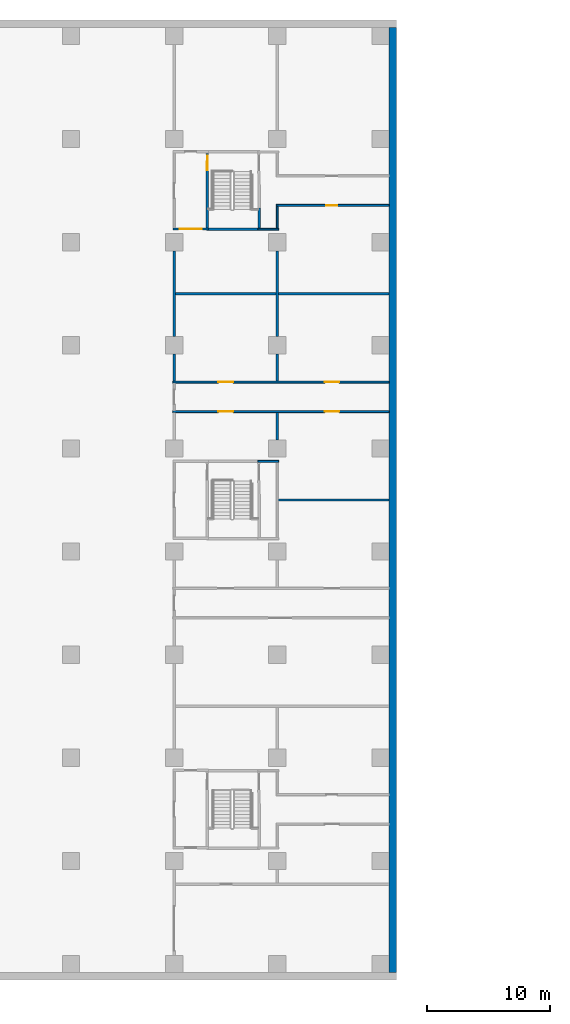
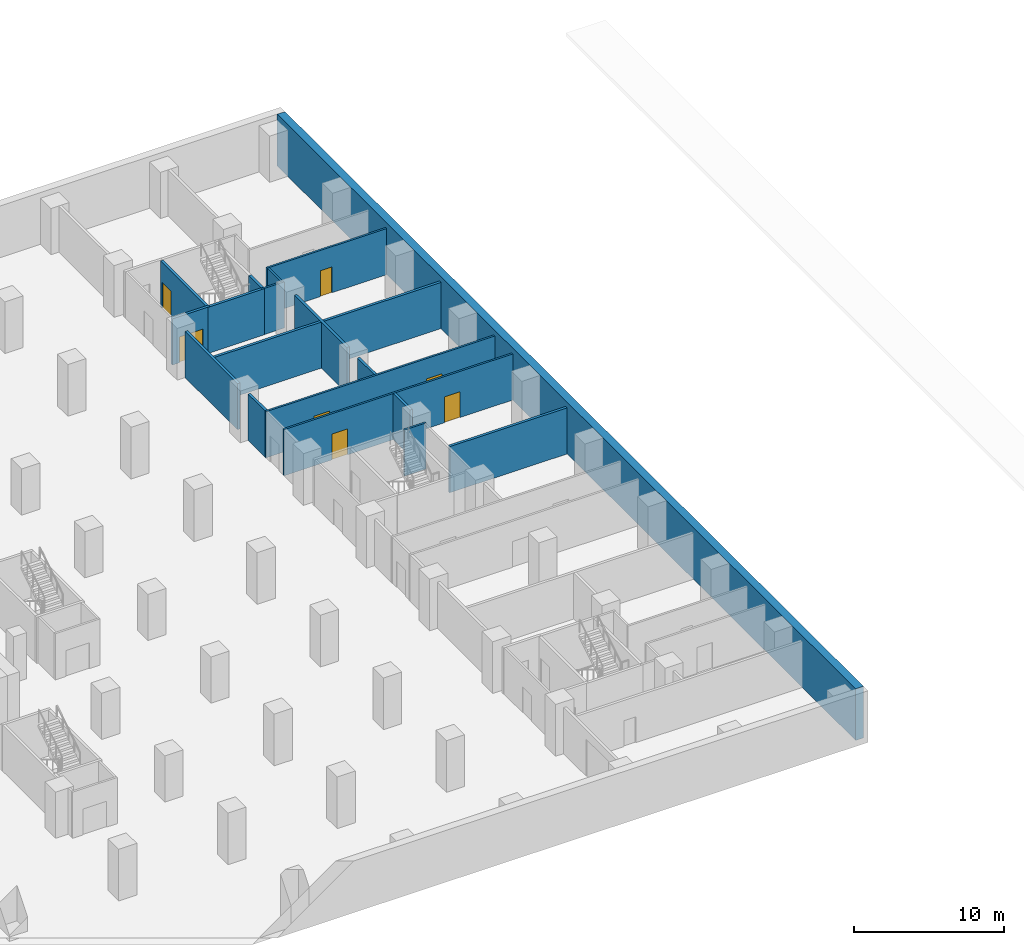
# One storey, part 9 of 17: 18 walls, 7 doors, 7 openings.
"""IFC4 building model written with IfcOpenShell, lengths in metres."""

from ifc_helpers import new_model, si_unit, direction, frame, frame_2d, origin, place, context, subcontext, project, spatial, rectangle, extrude, material, layer, layer_set, type_object, element, fill, save


model = new_model("IFC4")

# Units and contexts
model_context = context("Model", 3, precision=1e-05, world=origin(), true_north=direction((0.0, 1.0)))
body_context = subcontext(model_context, "Body", "Model", "MODEL_VIEW")
ifc_project = project(units=[si_unit("LENGTHUNIT", "METRE"), si_unit("AREAUNIT", "SQUARE_METRE"), si_unit("VOLUMEUNIT", "CUBIC_METRE"), si_unit("PLANEANGLEUNIT", "RADIAN"), si_unit("MASSUNIT", "GRAM", prefix="KILO")], contexts=[model_context])

# Site, building, storey
site_placement = place(None, origin())
site = spatial("IfcSite", under=ifc_project, at=site_placement, CompositionType="ELEMENT")
building_placement = place(site_placement, origin())
building = spatial("IfcBuilding", under=site, at=building_placement, Name="Vermilion Ogive Tower", CompositionType="ELEMENT")
storey_placement = place(building_placement, frame((0.0, 0.0, -4.199951171875)))
storey = spatial("IfcBuildingStorey", under=building, at=storey_placement, Name="B1", CompositionType="ELEMENT", Elevation=-4.199951171875)

# Walls
ifc_material_1 = material(Name="Concrete B45", Category="concrete")
ifc_layer_1 = layer(ifc_material_1, 0.60009765625)
ifc_layer_set_1 = layer_set([ifc_layer_1], Name="Basement wall RW600")
wall_type_1 = type_object("IfcWallType", Name="Basement wall RW600", PredefinedType="SOLIDWALL", material=ifc_layer_set_1)
wall_1_placement = place(storey_placement, frame((59.800048828125, -38.5, 0.0), z_axis=(0.0, 0.0, 1.0), x_axis=(0.0, 1.0, 0.0)))
element("IfcWall", 1, at=wall_1_placement, inside=storey, type_object=wall_type_1, Name="Retaining wall B1 E", PredefinedType="SOLIDWALL", context=body_context, shape_type="SweptSolid", body=[
    extrude(rectangle(XDim=77.0, YDim=0.60009765625, at=frame_2d((38.5, 0.0))), origin(), (0.0, 0.0, 1.0), 4.199951171875),
])
ifc_material_2 = material(Name="Gypsum board partition on steel studs", Category="steel")
ifc_layer_2 = layer(ifc_material_2, 0.14990234375)
ifc_layer_set_2 = layer_set([ifc_layer_2], Name="Partition 150 corridor")
wall_type_2 = type_object("IfcWallType", Name="Partition 150 corridor", PredefinedType="PARTITIONING", material=ifc_layer_set_2)
wall_2_placement = place(storey_placement, frame((48.824951171875, 3.14990234375, 0.0), z_axis=(0.0, 0.0, 1.0), x_axis=(1.0, 0.0, 0.0)))
element("IfcWall", 2, at=wall_2_placement, inside=storey, type_object=wall_type_2, Name="B1-PK-W-W026", PredefinedType="PARTITIONING", context=body_context, shape_type="SweptSolid", body=[
    extrude(rectangle(XDim=1.675048828125, YDim=0.14990234375, at=frame_2d((0.83740234375, 0.0))), origin(), (0.0, 0.0, 1.0), 3.75),
])

# Wall, openings, doors
wall_3_placement = place(storey_placement, frame((41.89990234375, 7.199951171875, 0.0), z_axis=(0.0, 0.0, 1.0), x_axis=(1.0, 0.0, 0.0)))
wall_3 = element("IfcWall", 3, at=wall_3_placement, inside=storey, type_object=wall_type_2, Name="B1-PK-W-W027", PredefinedType="PARTITIONING", context=body_context, shape_type="SweptSolid", body=[
    extrude(rectangle(XDim=17.59912109375, YDim=0.14990234375, at=frame_2d((8.799560546875, 0.0))), origin(), (0.0, 0.0, 1.0), 3.75),
])
opening_1_placement = place(wall_3_placement, frame((3.7001953125, 0.0, 0.0)))
opening_1 = element("IfcOpeningElement", 4, at=opening_1_placement, cuts=wall_3, Name="Opening PK1-24", PredefinedType="OPENING", context=body_context, shape_type="SweptSolid", body=[
    extrude(rectangle(XDim=1.199951171875, YDim=2.10009765625, at=frame_2d((0.60009765625, 1.050048828125))), frame((0.0, 0.0849609375, 0.0), z_axis=(0.0, -1.0, 0.0), x_axis=(1.0, 0.0, 0.0)), (0.0, 0.0, 1.0), 0.169921875),
])
opening_2_placement = place(wall_3_placement, frame((12.35009765625, 0.0, 0.0)))
opening_2 = element("IfcOpeningElement", 5, at=opening_2_placement, cuts=wall_3, Name="Opening PK1-25", PredefinedType="OPENING", context=body_context, shape_type="SweptSolid", body=[
    extrude(rectangle(XDim=1.199951171875, YDim=2.10009765625, at=frame_2d((0.60009765625, 1.050048828125))), frame((0.0, 0.0849609375, 0.0), z_axis=(0.0, -1.0, 0.0), x_axis=(1.0, 0.0, 0.0)), (0.0, 0.0, 1.0), 0.169921875),
])
ifc_material_3 = material(Name="Timber door leaf", Category="wood")
door_type_1 = type_object("IfcDoorType", Name="Store door 1200 x 2100 FD30", OperationType="SINGLE_SWING_LEFT", PredefinedType="DOOR", material=ifc_material_3)
door_1_placement = place(opening_1_placement, origin())
door_1 = element("IfcDoor", 6, at=door_1_placement, inside=storey, type_object=door_type_1, Name="B1-PK-D-D024", OperationType="SINGLE_SWING_LEFT", OverallHeight=2.10009765625, OverallWidth=1.199951171875, PredefinedType="DOOR", context=body_context, shape_type="SweptSolid", body=[
    extrude(rectangle(XDim=1.199951171875, YDim=2.10009765625, at=frame_2d((0.60009765625, 1.050048828125))), frame((0.0, 0.02490234375, 0.0), z_axis=(0.0, -1.0, 0.0), x_axis=(1.0, 0.0, 0.0)), (0.0, 0.0, 1.0), 0.050048828125),
])
fill(opening_1, door_1)
door_2_placement = place(opening_2_placement, origin())
door_2 = element("IfcDoor", 7, at=door_2_placement, inside=storey, type_object=door_type_1, Name="B1-PK-D-D025", OperationType="SINGLE_SWING_RIGHT", OverallHeight=2.10009765625, OverallWidth=1.199951171875, PredefinedType="DOOR", context=body_context, shape_type="SweptSolid", body=[
    extrude(rectangle(XDim=1.199951171875, YDim=2.10009765625, at=frame_2d((0.60009765625, 1.050048828125))), frame((0.0, 0.02490234375, 0.0), z_axis=(0.0, -1.0, 0.0), x_axis=(1.0, 0.0, 0.0)), (0.0, 0.0, 1.0), 0.050048828125),
])
fill(opening_2, door_2)

wall_4_placement = place(storey_placement, frame((41.89990234375, 9.60009765625, 0.0), z_axis=(0.0, 0.0, 1.0), x_axis=(1.0, 0.0, 0.0)))
wall_4 = element("IfcWall", 8, at=wall_4_placement, inside=storey, type_object=wall_type_2, Name="B1-PK-W-W028", PredefinedType="PARTITIONING", context=body_context, shape_type="SweptSolid", body=[
    extrude(rectangle(XDim=17.59912109375, YDim=0.14990234375, at=frame_2d((8.799560546875, 0.0))), origin(), (0.0, 0.0, 1.0), 3.75),
])
opening_3_placement = place(wall_4_placement, frame((3.7001953125, 0.0, 0.0)))
opening_3 = element("IfcOpeningElement", 9, at=opening_3_placement, cuts=wall_4, Name="Opening PK1-26", PredefinedType="OPENING", context=body_context, shape_type="SweptSolid", body=[
    extrude(rectangle(XDim=1.199951171875, YDim=2.10009765625, at=frame_2d((0.60009765625, 1.050048828125))), frame((0.0, 0.0849609375, 0.0), z_axis=(0.0, -1.0, 0.0), x_axis=(1.0, 0.0, 0.0)), (0.0, 0.0, 1.0), 0.169921875),
])
opening_4_placement = place(wall_4_placement, frame((12.35009765625, 0.0, 0.0)))
opening_4 = element("IfcOpeningElement", 10, at=opening_4_placement, cuts=wall_4, Name="Opening PK1-27", PredefinedType="OPENING", context=body_context, shape_type="SweptSolid", body=[
    extrude(rectangle(XDim=1.199951171875, YDim=2.10009765625, at=frame_2d((0.60009765625, 1.050048828125))), frame((0.0, 0.0849609375, 0.0), z_axis=(0.0, -1.0, 0.0), x_axis=(1.0, 0.0, 0.0)), (0.0, 0.0, 1.0), 0.169921875),
])
door_3_placement = place(opening_3_placement, origin())
door_3 = element("IfcDoor", 11, at=door_3_placement, inside=storey, type_object=door_type_1, Name="B1-PK-D-D026", OperationType="SINGLE_SWING_LEFT", OverallHeight=2.10009765625, OverallWidth=1.199951171875, PredefinedType="DOOR", context=body_context, shape_type="SweptSolid", body=[
    extrude(rectangle(XDim=1.199951171875, YDim=2.10009765625, at=frame_2d((0.60009765625, 1.050048828125))), frame((0.0, 0.02490234375, 0.0), z_axis=(0.0, -1.0, 0.0), x_axis=(1.0, 0.0, 0.0)), (0.0, 0.0, 1.0), 0.050048828125),
])
fill(opening_3, door_3)
door_4_placement = place(opening_4_placement, origin())
door_4 = element("IfcDoor", 12, at=door_4_placement, inside=storey, type_object=door_type_1, Name="B1-PK-D-D027", OperationType="SINGLE_SWING_RIGHT", OverallHeight=2.10009765625, OverallWidth=1.199951171875, PredefinedType="DOOR", context=body_context, shape_type="SweptSolid", body=[
    extrude(rectangle(XDim=1.199951171875, YDim=2.10009765625, at=frame_2d((0.60009765625, 1.050048828125))), frame((0.0, 0.02490234375, 0.0), z_axis=(0.0, -1.0, 0.0), x_axis=(1.0, 0.0, 0.0)), (0.0, 0.0, 1.0), 0.050048828125),
])
fill(opening_4, door_4)

# Wall
wall_5_placement = place(storey_placement, frame((48.824951171875, 22.050048828125, 0.0), z_axis=(0.0, 0.0, 1.0), x_axis=(1.0, 0.0, 0.0)))
element("IfcWall", 13, at=wall_5_placement, inside=storey, type_object=wall_type_2, Name="B1-PK-W-W032", PredefinedType="PARTITIONING", context=body_context, shape_type="SweptSolid", body=[
    extrude(rectangle(XDim=1.675048828125, YDim=0.14990234375, at=frame_2d((0.83740234375, 0.0))), origin(), (0.0, 0.0, 1.0), 3.75),
])

# Wall, opening, door
wall_6_placement = place(storey_placement, frame((50.324951171875, 24.0, 0.0), z_axis=(0.0, 0.0, 1.0), x_axis=(1.0, 0.0, 0.0)))
wall_6 = element("IfcWall", 14, at=wall_6_placement, inside=storey, type_object=wall_type_2, Name="B1-PK-W-W033", PredefinedType="PARTITIONING", context=body_context, shape_type="SweptSolid", body=[
    extrude(rectangle(XDim=9.174072265625, YDim=0.14990234375, at=frame_2d((4.5869140625, 0.0))), origin(), (0.0, 0.0, 1.0), 3.75),
])
opening_5_placement = place(wall_6_placement, frame((4.0751953125, 0.0, 0.0)))
opening_5 = element("IfcOpeningElement", 15, at=opening_5_placement, cuts=wall_6, Name="Opening PK1-29", PredefinedType="OPENING", context=body_context, shape_type="SweptSolid", body=[
    extrude(rectangle(XDim=0.89990234375, YDim=2.10009765625, at=frame_2d((0.449951171875, 1.050048828125))), frame((0.0, 0.0849609375, 0.0), z_axis=(0.0, -1.0, 0.0), x_axis=(1.0, 0.0, 0.0)), (0.0, 0.0, 1.0), 0.169921875),
])
ifc_material_4 = material(Name="Timber door leaf", Category="wood")
door_type_2 = type_object("IfcDoorType", Name="Staff door 900 x 2100 FD30", OperationType="SINGLE_SWING_LEFT", PredefinedType="DOOR", material=ifc_material_4)
door_5_placement = place(opening_5_placement, origin())
door_5 = element("IfcDoor", 16, at=door_5_placement, inside=storey, type_object=door_type_2, Name="B1-PK-D-D029", OperationType="SINGLE_SWING_RIGHT", OverallHeight=2.10009765625, OverallWidth=0.89990234375, PredefinedType="DOOR", context=body_context, shape_type="SweptSolid", body=[
    extrude(rectangle(XDim=0.89990234375, YDim=2.10009765625, at=frame_2d((0.449951171875, 1.050048828125))), frame((0.0, 0.02490234375, 0.0), z_axis=(0.0, -1.0, 0.0), x_axis=(1.0, 0.0, 0.0)), (0.0, 0.0, 1.0), 0.050048828125),
])
fill(opening_5, door_5)

# Walls
wall_7_placement = place(storey_placement, frame((50.39990234375, 22.125, 0.0), z_axis=(0.0, 0.0, 1.0), x_axis=(0.0, 1.0, 0.0)))
element("IfcWall", 17, at=wall_7_placement, inside=storey, type_object=wall_type_2, Name="B1-PK-W-W077", PredefinedType="PARTITIONING", context=body_context, shape_type="SweptSolid", body=[
    extrude(rectangle(XDim=1.800048828125, YDim=0.14990234375, at=frame_2d((0.89990234375, 0.0))), origin(), (0.0, 0.0, 1.0), 3.75),
])
ifc_material_5 = material(Name="Gypsum board partition on steel studs", Category="steel")
ifc_layer_3 = layer(ifc_material_5, 0.199951171875)
ifc_layer_set_3 = layer_set([ifc_layer_3], Name="Partition 200 party")
wall_type_3 = type_object("IfcWallType", Name="Partition 200 party", PredefinedType="PARTITIONING", material=ifc_layer_set_3)
wall_8_placement = place(storey_placement, frame((50.47509765625, 0.0, 0.0), z_axis=(0.0, 0.0, 1.0), x_axis=(1.0, 0.0, 0.0)))
element("IfcWall", 18, at=wall_8_placement, inside=storey, type_object=wall_type_3, Name="B1-PK-W-W023", PredefinedType="PARTITIONING", context=body_context, shape_type="SweptSolid", body=[
    extrude(rectangle(XDim=9.02392578125, YDim=0.199951171875, at=frame_2d((4.511962890625, 0.0))), origin(), (0.0, 0.0, 1.0), 3.75),
])
wall_9_placement = place(storey_placement, frame((42.10009765625, 16.800048828125, 0.0), z_axis=(0.0, 0.0, 1.0), x_axis=(1.0, 0.0, 0.0)))
element("IfcWall", 19, at=wall_9_placement, inside=storey, type_object=wall_type_3, Name="B1-PK-W-W029", PredefinedType="PARTITIONING", context=body_context, shape_type="SweptSolid", body=[
    extrude(rectangle(XDim=17.39892578125, YDim=0.199951171875, at=frame_2d((8.699462890625, 0.0))), origin(), (0.0, 0.0, 1.0), 3.75),
])
wall_10_placement = place(storey_placement, frame((42.0, 9.675048828125, 0.0), z_axis=(0.0, 0.0, 1.0), x_axis=(0.0, 1.0, 0.0)))
element("IfcWall", 20, at=wall_10_placement, inside=storey, type_object=wall_type_3, Name="B1-PK-W-W060a", PredefinedType="PARTITIONING", context=body_context, shape_type="SweptSolid", body=[
    extrude(rectangle(XDim=2.224853515625, YDim=0.199951171875, at=frame_2d((1.1123046875, 0.0))), origin(), (0.0, 0.0, 1.0), 3.75),
])
wall_11_placement = place(storey_placement, frame((42.0, 13.300048828125, 0.0), z_axis=(0.0, 0.0, 1.0), x_axis=(0.0, 1.0, 0.0)))
element("IfcWall", 21, at=wall_11_placement, inside=storey, type_object=wall_type_3, Name="B1-PK-W-W060b", PredefinedType="PARTITIONING", context=body_context, shape_type="SweptSolid", body=[
    extrude(rectangle(XDim=7.0, YDim=0.199951171875, at=frame_2d((3.5, 0.0))), origin(), (0.0, 0.0, 1.0), 3.75),
])
wall_12_placement = place(storey_placement, frame((50.39990234375, 4.89990234375, 0.0), z_axis=(0.0, 0.0, 1.0), x_axis=(0.0, 1.0, 0.0)))
element("IfcWall", 22, at=wall_12_placement, inside=storey, type_object=wall_type_3, Name="B1-PK-W-W075a", PredefinedType="PARTITIONING", context=body_context, shape_type="SweptSolid", body=[
    extrude(rectangle(XDim=2.22509765625, YDim=0.199951171875, at=frame_2d((1.112548828125, 0.0))), origin(), (0.0, 0.0, 1.0), 3.75),
])
wall_13_placement = place(storey_placement, frame((50.39990234375, 9.675048828125, 0.0), z_axis=(0.0, 0.0, 1.0), x_axis=(0.0, 1.0, 0.0)))
element("IfcWall", 23, at=wall_13_placement, inside=storey, type_object=wall_type_3, Name="B1-PK-W-W076a", PredefinedType="PARTITIONING", context=body_context, shape_type="SweptSolid", body=[
    extrude(rectangle(XDim=2.224853515625, YDim=0.199951171875, at=frame_2d((1.1123046875, 0.0))), origin(), (0.0, 0.0, 1.0), 3.75),
])
wall_14_placement = place(storey_placement, frame((50.39990234375, 13.300048828125, 0.0), z_axis=(0.0, 0.0, 1.0), x_axis=(0.0, 1.0, 0.0)))
element("IfcWall", 24, at=wall_14_placement, inside=storey, type_object=wall_type_3, Name="B1-PK-W-W076b", PredefinedType="PARTITIONING", context=body_context, shape_type="SweptSolid", body=[
    extrude(rectangle(XDim=7.0, YDim=0.199951171875, at=frame_2d((3.5, 0.0))), origin(), (0.0, 0.0, 1.0), 3.75),
])

# Wall, opening, door
ifc_material_6 = material(Name="Concrete B60", Category="concrete")
ifc_layer_4 = layer(ifc_material_6, 0.199951171875)
ifc_layer_set_4 = layer_set([ifc_layer_4], Name="Stair shaft wall 200 Concrete B60")
wall_type_4 = type_object("IfcWallType", Name="Stair shaft wall 200 Concrete B60", PredefinedType="SOLIDWALL", material=ifc_layer_set_4)
wall_15_placement = place(storey_placement, frame((41.89990234375, 22.074951171875, 0.0), z_axis=(0.0, 0.0, 1.0), x_axis=(1.0, 0.0, 0.0)))
wall_15 = element("IfcWall", 25, at=wall_15_placement, inside=storey, type_object=wall_type_4, Name="B1-PK-W-W030", PredefinedType="SOLIDWALL", context=body_context, shape_type="SweptSolid", body=[
    extrude(rectangle(XDim=2.875, YDim=0.199951171875, at=frame_2d((1.4375, 0.0))), origin(), (0.0, 0.0, 1.0), 3.75),
])
opening_6_placement = place(wall_15_placement, frame((0.550048828125, 0.0, 0.0)))
opening_6 = element("IfcOpeningElement", 26, at=opening_6_placement, cuts=wall_15, Name="Opening PK1-28", PredefinedType="OPENING", context=body_context, shape_type="SweptSolid", body=[
    extrude(rectangle(XDim=1.800048828125, YDim=2.10009765625, at=frame_2d((0.89990234375, 1.050048828125))), frame((0.0, 0.10986328125, 0.0), z_axis=(0.0, -1.0, 0.0), x_axis=(1.0, 0.0, 0.0)), (0.0, 0.0, 1.0), 0.219970703125),
])
ifc_material_7 = material(Name="Timber door leaf", Category="wood")
door_type_3 = type_object("IfcDoorType", Name="Plant door 1800 x 2100 FD30", OperationType="DOUBLE_DOOR_SINGLE_SWING", PredefinedType="DOOR", material=ifc_material_7)
door_6_placement = place(opening_6_placement, origin())
door_6 = element("IfcDoor", 27, at=door_6_placement, inside=storey, type_object=door_type_3, Name="B1-PK-D-D028", OperationType="DOUBLE_DOOR_SINGLE_SWING", OverallHeight=2.10009765625, OverallWidth=1.800048828125, PredefinedType="DOOR", context=body_context, shape_type="SweptSolid", body=[
    extrude(rectangle(XDim=1.800048828125, YDim=2.10009765625, at=frame_2d((0.89990234375, 1.050048828125))), frame((0.0, 0.02490234375, 0.0), z_axis=(0.0, -1.0, 0.0), x_axis=(1.0, 0.0, 0.0)), (0.0, 0.0, 1.0), 0.050048828125),
])
fill(opening_6, door_6)

# Wall
wall_16_placement = place(storey_placement, frame((44.625, 22.050048828125, 0.0), z_axis=(0.0, 0.0, 1.0), x_axis=(1.0, 0.0, 0.0)))
element("IfcWall", 28, at=wall_16_placement, inside=storey, type_object=wall_type_4, Name="B1-PK-W-W031", PredefinedType="SOLIDWALL", context=body_context, shape_type="SweptSolid", body=[
    extrude(rectangle(XDim=4.35009765625, YDim=0.199951171875, at=frame_2d((2.175048828125, 0.0))), origin(), (0.0, 0.0, 1.0), 3.75),
])

# Wall, opening, door
wall_17_placement = place(storey_placement, frame((44.675048828125, 22.14990234375, 0.0), z_axis=(0.0, 0.0, 1.0), x_axis=(0.004098985015, 0.999991599126, 0.0)))
wall_17 = element("IfcWall", 29, at=wall_17_placement, inside=storey, type_object=wall_type_4, Name="B1-PK-W-W065", PredefinedType="SOLIDWALL", context=body_context, shape_type="SweptSolid", body=[
    extrude(rectangle(XDim=6.0751953125, YDim=0.199951171875, at=frame_2d((3.03759765625, 0.0))), origin(), (0.0, 0.0, 1.0), 3.75),
])
opening_7_placement = place(wall_17_placement, frame((4.7001953125, 0.0, 0.0)))
opening_7 = element("IfcOpeningElement", 30, at=opening_7_placement, cuts=wall_17, Name="Opening PK1-12", PredefinedType="OPENING", context=body_context, shape_type="SweptSolid", body=[
    extrude(rectangle(XDim=1.199951171875, YDim=2.10009765625, at=frame_2d((0.60009765625, 1.050048828125))), frame((0.0, 0.10986328125, 0.0), z_axis=(0.0, -1.0, 0.0), x_axis=(1.0, 0.0, 0.0)), (0.0, 0.0, 1.0), 0.219970703125),
])
ifc_material_8 = material(Name="Timber door leaf", Category="wood")
door_type_4 = type_object("IfcDoorType", Name="Stair door 1200 x 2100 FD60S", OperationType="SINGLE_SWING_LEFT", PredefinedType="DOOR", material=ifc_material_8)
door_7_placement = place(opening_7_placement, origin())
door_7 = element("IfcDoor", 31, at=door_7_placement, inside=storey, type_object=door_type_4, Name="B1-PK-D-D012", OperationType="DOUBLE_DOOR_SINGLE_SWING", OverallHeight=2.10009765625, OverallWidth=1.199951171875, PredefinedType="DOOR", context=body_context, shape_type="SweptSolid", body=[
    extrude(rectangle(XDim=1.199951171875, YDim=2.10009765625, at=frame_2d((0.60009765625, 1.050048828125))), frame((0.0, 0.02490234375, 0.0), z_axis=(0.0, -1.0, 0.0), x_axis=(1.0, 0.0, 0.0)), (0.0, 0.0, 1.0), 0.050048828125),
])
fill(opening_7, door_7)

# Wall
wall_18_placement = place(storey_placement, frame((48.9248046875, 22.14990234375, 0.0), z_axis=(0.0, 0.0, 1.0), x_axis=(-0.003995232985, 0.999992019025, 0.0)))
element("IfcWall", 32, at=wall_18_placement, inside=storey, type_object=wall_type_4, Name="B1-PK-W-W068", PredefinedType="SOLIDWALL", context=body_context, shape_type="SweptSolid", body=[
    extrude(rectangle(XDim=1.64990234375, YDim=0.199951171875, at=frame_2d((0.824951171875, 0.0))), origin(), (0.0, 0.0, 1.0), 3.75),
])

save(model, "model.ifc")
